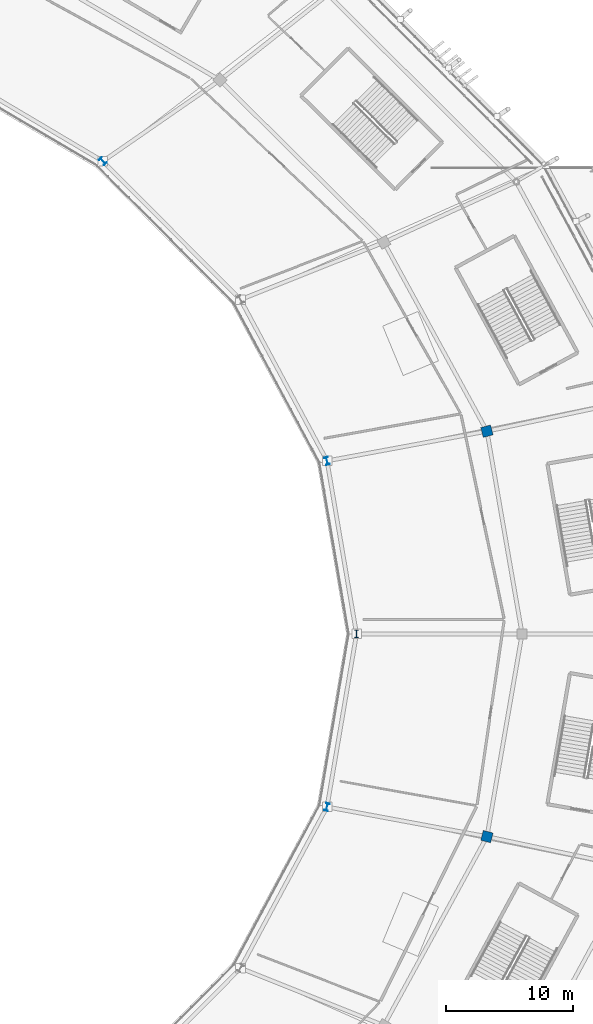
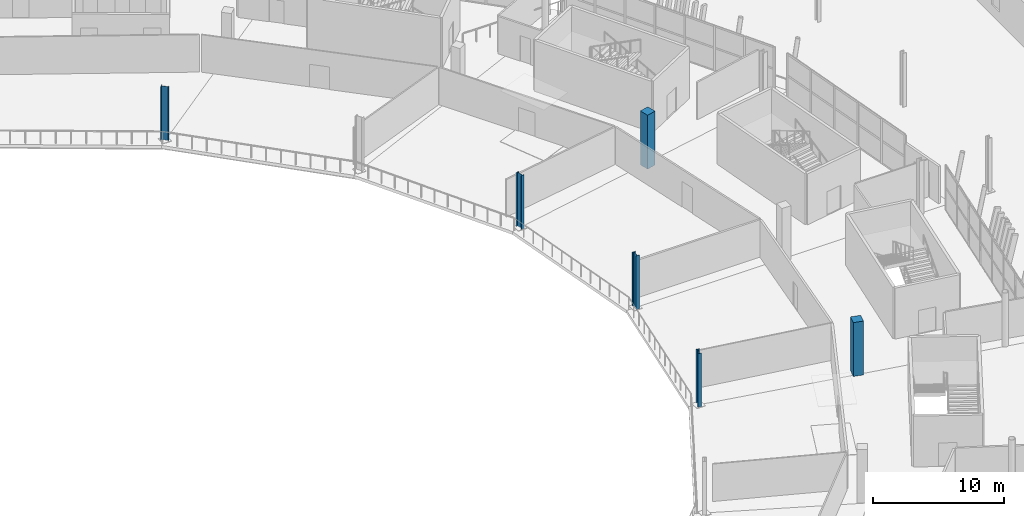
# One storey, part 14 of 179: 6 columns.
"""IFC4 building model written with IfcOpenShell, lengths in metres."""

import ifcopenshell
import ifcopenshell.guid

model = None  # the IFC model being written
_history = None  # IfcOwnerHistory: only IFC2X3 demands one
_inside = {}  # id of a spatial element -> (the spatial element, [elements in it])
_under = {}  # id of a project, library or spatial element -> (it, [spatial elements below it])
_declared = {}  # id of a project -> (the project, [libraries it declares])
_typed = {}  # id of a type object -> (the type object, [elements of that type])
_made_of = {}  # id of a material, layer set ... -> (it, [elements and type objects made of it])


def new_model(schema):
    """Start an empty IFC model of exactly this schema.

    Asked for "IFC4X3", IfcOpenShell would pick the latest addendum, in which some entities
    have other attributes; the version numbers below select the first issue.
    IFC2X3 requires an IfcOwnerHistory on every rooted entity: one is made here for all.
    """
    global model, _history
    if schema == "IFC4X3":
        model = ifcopenshell.file(schema_version=(4, 3, 0, 0))
    else:
        model = ifcopenshell.file(schema=schema)
    _inside.clear()
    _under.clear()
    _declared.clear()
    _typed.clear()
    _made_of.clear()
    _history = None
    if model.schema == "IFC2X3":
        org = make("IfcOrganization", Name="unknown")
        user = make(
            "IfcPersonAndOrganization",
            ThePerson=make("IfcPerson", FamilyName="unknown"),
            TheOrganization=org,
        )
        app = make(
            "IfcApplication",
            ApplicationDeveloper=org,
            Version="unknown",
            ApplicationFullName="unknown",
            ApplicationIdentifier="unknown",
        )
        _history = make(
            "IfcOwnerHistory",
            OwningUser=user,
            OwningApplication=app,
            ChangeAction="ADDED",
            CreationDate=0,
        )
    return model


def make(cls, **values):
    """One entity of the class cls with the attributes given. An attribute that is None is left unset."""
    return model.create_entity(
        cls, **{name: value for name, value in values.items() if value is not None}
    )


def rooted(cls, **values):
    """An entity with a GlobalId (a new one), such as an element, a storey or a relation."""
    return make(cls, GlobalId=ifcopenshell.guid.new(), OwnerHistory=_history, **values)


def si_unit(unit_type, name, prefix=None):
    """IfcSIUnit, for example si_unit("LENGTHUNIT", "METRE", prefix="MILLI")."""
    return make("IfcSIUnit", UnitType=unit_type, Prefix=prefix, Name=name)


def assignment(units):
    """IfcUnitAssignment: the units of a project."""
    return None if units is None else make("IfcUnitAssignment", Units=units)


def point(xyz):
    """IfcCartesianPoint."""
    return None if xyz is None else make("IfcCartesianPoint", Coordinates=xyz)


def direction(xyz):
    """IfcDirection."""
    return None if xyz is None else make("IfcDirection", DirectionRatios=xyz)


def frame(location, z_axis=None, x_axis=None):
    """IfcAxis2Placement3D, a coordinate frame: its origin and axes. An axis left out is left unset."""
    return make(
        "IfcAxis2Placement3D",
        Location=point(location),
        Axis=direction(z_axis),
        RefDirection=direction(x_axis),
    )


def frame_2d(location, x_axis=None):
    """IfcAxis2Placement2D, a coordinate frame in the plane: its origin and x axis."""
    return make(
        "IfcAxis2Placement2D", Location=point(location), RefDirection=direction(x_axis)
    )


def origin():
    """The frame at (0, 0, 0) with its axes left unset."""
    return frame((0.0, 0.0, 0.0))


def origin_2d():
    """The frame at (0, 0) in the plane with its x axis left unset."""
    return frame_2d((0.0, 0.0))


def place(relative_to, where):
    """IfcLocalPlacement: puts the frame where relative to a parent placement (None: the world)."""
    return make(
        "IfcLocalPlacement", PlacementRelTo=relative_to, RelativePlacement=where
    )


def context(
    kind, dimensions, precision=None, world=None, true_north=None, identifier=None
):
    """IfcGeometricRepresentationContext, for example the 3D "Model" context."""
    return make(
        "IfcGeometricRepresentationContext",
        ContextIdentifier=identifier,
        ContextType=kind,
        CoordinateSpaceDimension=dimensions,
        Precision=precision,
        WorldCoordinateSystem=world,
        TrueNorth=true_north,
    )


def subcontext(parent, identifier, kind, view, scale=None):
    """IfcGeometricRepresentationSubContext, for example "Body" below "Model"."""
    return make(
        "IfcGeometricRepresentationSubContext",
        ContextIdentifier=identifier,
        ContextType=kind,
        ParentContext=parent,
        TargetScale=scale,
        TargetView=view,
    )


def project(units=None, contexts=None):
    """IfcProject with its units and contexts."""
    return rooted(
        "IfcProject",
        Name="project",
        RepresentationContexts=contexts,
        UnitsInContext=assignment(units),
    )


def spatial(cls, under=None, at=None, **own):
    """A site, building, storey or space (cls), placed at a placement, below another one or the project."""
    s = rooted(cls, ObjectPlacement=at, **own)
    if under is not None:
        _under.setdefault(under.id(), (under, []))[1].append(s)
    return s


def profile(cls, at=None, kind="AREA", **sizes):
    """A parametric profile (cls). Its sizes go by their IFC names, for example OverallWidth=200.0."""
    return make(cls, ProfileType=kind, Position=at, **sizes)


def rectangle(**sizes):
    """IfcRectangleProfileDef."""
    return profile("IfcRectangleProfileDef", **sizes)


def i_section(**sizes):
    """IfcIShapeProfileDef."""
    return profile("IfcIShapeProfileDef", **sizes)


def extrude(swept, where, along, depth):
    """IfcExtrudedAreaSolid: the profile swept, set in the frame where, extruded along a direction by depth."""
    return make(
        "IfcExtrudedAreaSolid",
        SweptArea=swept,
        Position=where,
        ExtrudedDirection=direction(along),
        Depth=depth,
    )


def shape(context_of_items, identifier, shape_type, items):
    """IfcShapeRepresentation: the items that make up one representation, for example the "Body"."""
    return make(
        "IfcShapeRepresentation",
        ContextOfItems=context_of_items,
        RepresentationIdentifier=identifier,
        RepresentationType=shape_type,
        Items=items,
    )


def material(Name=None, Category=None):
    """IfcMaterial."""
    return make("IfcMaterial", Name=Name, Category=Category)


def material_profile(
    of_material, cross_section, Name=None, Category=None, Priority=None
):
    """IfcMaterialProfile: a cross section and its material."""
    return make(
        "IfcMaterialProfile",
        Name=Name,
        Material=of_material,
        Profile=cross_section,
        Priority=Priority,
        Category=Category,
    )


def profile_set(profiles, Name=None, composite=None):
    """IfcMaterialProfileSet."""
    return make(
        "IfcMaterialProfileSet",
        Name=Name,
        MaterialProfiles=profiles,
        CompositeProfile=composite,
    )


def made_of(thing, what):
    """Note that an element or type object is made of a material, layer set ...; save() writes the relation."""
    if what is not None:
        _made_of.setdefault(what.id(), (what, []))[1].append(thing)
    return thing


def type_object(cls, material=None, **own):
    """A type object (cls), such as IfcWallType, which elements share."""
    return made_of(rooted(cls, **own), material)


def element(
    cls,
    number,
    at=None,
    inside=None,
    cuts=None,
    type_object=None,
    material=None,
    context=None,
    identifier="Body",
    shape_type=None,
    held_by="IfcProductDefinitionShape",
    body=None,
    shapes=None,
    **own,
):
    """One element of the class cls, such as IfcWall. Its Tag is "e" and its number.

    at: its placement. inside: the storey or other place that contains it. cuts: it is an
    opening in that element (IfcRelVoidsElement). A single representation is given by context,
    identifier, shape_type and body (its items); several are given by shapes. held_by: the class
    of the entity that holds the representations. save() writes the other relations.
    """
    e = rooted(cls, Tag="e%d" % number, ObjectPlacement=at, **own)
    if body is not None:
        shapes = [shape(context, identifier, shape_type, body)]
    if shapes is not None:
        e.Representation = make(held_by, Representations=shapes)
    if inside is not None:
        _inside.setdefault(inside.id(), (inside, []))[1].append(e)
    if cuts is not None:
        rooted(
            "IfcRelVoidsElement", RelatingBuildingElement=cuts, RelatedOpeningElement=e
        )
    if type_object is not None:
        _typed.setdefault(type_object.id(), (type_object, []))[1].append(e)
    return made_of(e, material)


def aggregate(whole, parts):
    """IfcRelAggregates: a whole, such as a stair, and the parts it consists of."""
    return rooted("IfcRelAggregates", RelatingObject=whole, RelatedObjects=parts)


def save(model, path):
    """Write the relations noted so far, then the file.

    IfcRelAggregates (storeys below a building ...), IfcRelContainedInSpatialStructure (elements
    in a storey), IfcRelDefinesByType, IfcRelAssociatesMaterial and IfcRelDeclares: one each for
    every whole, place, type object, material and project.
    """
    for whole, parts in _under.values():
        aggregate(whole, parts)
    for where, things in _inside.values():
        rooted(
            "IfcRelContainedInSpatialStructure",
            RelatedElements=things,
            RelatingStructure=where,
        )
    for kind, things in _typed.values():
        rooted("IfcRelDefinesByType", RelatedObjects=things, RelatingType=kind)
    for what, things in _made_of.values():
        rooted("IfcRelAssociatesMaterial", RelatedObjects=things, RelatingMaterial=what)
    for by, libraries in _declared.values():
        rooted("IfcRelDeclares", RelatingContext=by, RelatedDefinitions=libraries)
    model.write(path)


model = new_model("IFC4")

# Units and contexts
model_context = context("Model", 3, precision=1e-05, world=origin(), true_north=direction((0.0, 1.0)))
body_context = subcontext(model_context, "Body", "Model", "MODEL_VIEW")
ifc_project = project(units=[si_unit("LENGTHUNIT", "METRE"), si_unit("AREAUNIT", "SQUARE_METRE"), si_unit("VOLUMEUNIT", "CUBIC_METRE"), si_unit("PLANEANGLEUNIT", "RADIAN"), si_unit("MASSUNIT", "GRAM", prefix="KILO")], contexts=[model_context])

# Site, building, storey
site_placement = place(None, origin())
site = spatial("IfcSite", under=ifc_project, at=site_placement, CompositionType="ELEMENT")
building_placement = place(site_placement, origin())
building = spatial("IfcBuilding", under=site, at=building_placement, Name="Zlatoyarsky Gate Stadium", CompositionType="ELEMENT")
storey_placement = place(building_placement, frame((0.0, 0.0, 10.60009765625)))
storey = spatial("IfcBuildingStorey", under=building, at=storey_placement, Name="L02", CompositionType="ELEMENT", Elevation=10.60009765625)

# Columns
ifc_material_1 = material(Name="Concrete C40/50", Category="concrete")
ifc_material_profile_1 = material_profile(ifc_material_1, rectangle(XDim=0.800048828125, YDim=0.800048828125, at=origin_2d()), Name="RC COL 800X800")
ifc_profile_set_1 = profile_set([ifc_material_profile_1], Name="Concrete C40/50")
column_type_1 = type_object("IfcColumnType", Name="CONCRETE COLUMN 800X800", PredefinedType="COLUMN", material=ifc_profile_set_1)
for number, where, z_axis, x_axis, name in (
    (1, (189.239990234375, 95.91748046875, 0.0), (0.0, 0.0, 1.0), (0.965925826289, 0.258819045103, 0.0), "Column RC-C80 RB-01 on L02"),
    (2, (189.239990234375, 64.08251953125, 0.0), (0.0, 0.0, 1.0), (0.965925826289, -0.258819045103, 0.0), "Column RC-C80 RB-23 on L02"),
):
    element("IfcColumn", number, at=place(storey_placement, frame(where, z_axis=z_axis, x_axis=x_axis)), inside=storey, type_object=column_type_1, Name=name, PredefinedType="COLUMN", context=body_context, shape_type="SweptSolid", body=[
        extrude(rectangle(XDim=0.800048828125, YDim=0.800048828125, at=origin_2d()), origin(), (0.0, 0.0, 1.0), 5.0),
    ])
ifc_material_2 = material(Name="Steel S355", Category="steel")
ifc_material_profile_2 = material_profile(ifc_material_2, i_section(OverallWidth=0.300048828125, OverallDepth=0.60009765625, WebThickness=0.015380859375, FlangeThickness=0.030029296875, FilletRadius=0.027099609375, at=origin_2d()), Name="HEB 600")
ifc_profile_set_2 = profile_set([ifc_material_profile_2], Name="Steel S355")
column_type_2 = type_object("IfcColumnType", Name="STEEL COLUMN HEB 600", PredefinedType="COLUMN", material=ifc_profile_set_2)
for number, where, z_axis, x_axis, name in (
    (3, (179.0, 80.0, 0.0), (0.0, 0.0, 1.0), (1.0, 0.0, 0.0), "Column ST-C600 RA-00 on L02"),
    (4, (176.68310546875, 93.587890625, 0.0), (0.0, 0.0, 1.0), (0.965925826289, 0.258819045103, 0.0), "Column ST-C600 RA-01 on L02"),
    (5, (159.083251953125, 117.123046875, 0.0), (0.0, 0.0, 1.0), (0.707106781187, 0.707106781187, 0.0), "Column ST-C600 RA-03 on L02"),
    (6, (176.68310546875, 66.412109375, 0.0), (0.0, 0.0, 1.0), (0.965925826289, -0.258819045103, 0.0), "Column ST-C600 RA-23 on L02"),
):
    element("IfcColumn", number, at=place(storey_placement, frame(where, z_axis=z_axis, x_axis=x_axis)), inside=storey, type_object=column_type_2, Name=name, PredefinedType="COLUMN", context=body_context, shape_type="SweptSolid", body=[
        extrude(i_section(OverallWidth=0.300048828125, OverallDepth=0.60009765625, WebThickness=0.015380859375, FlangeThickness=0.030029296875, FilletRadius=0.027099609375, at=origin_2d()), origin(), (0.0, 0.0, 1.0), 5.0),
    ])

save(model, "model.ifc")
